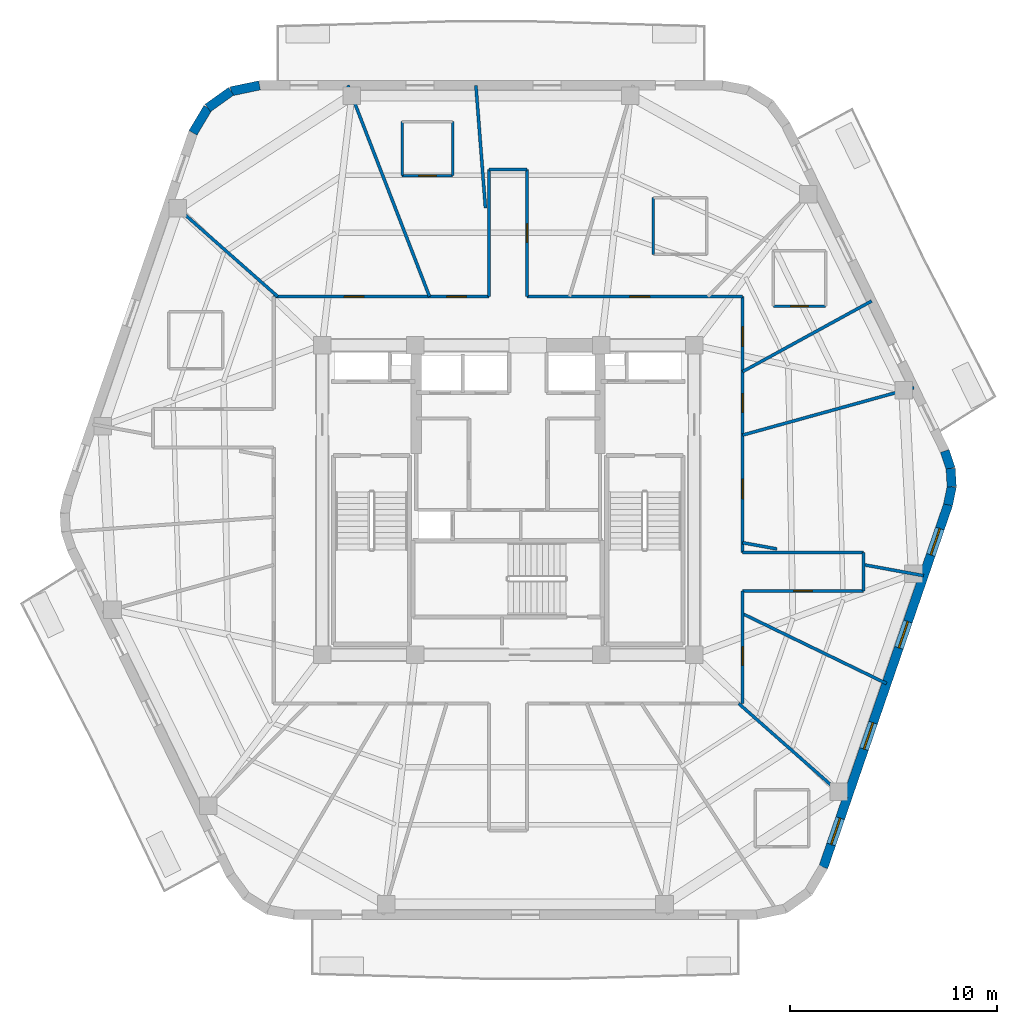
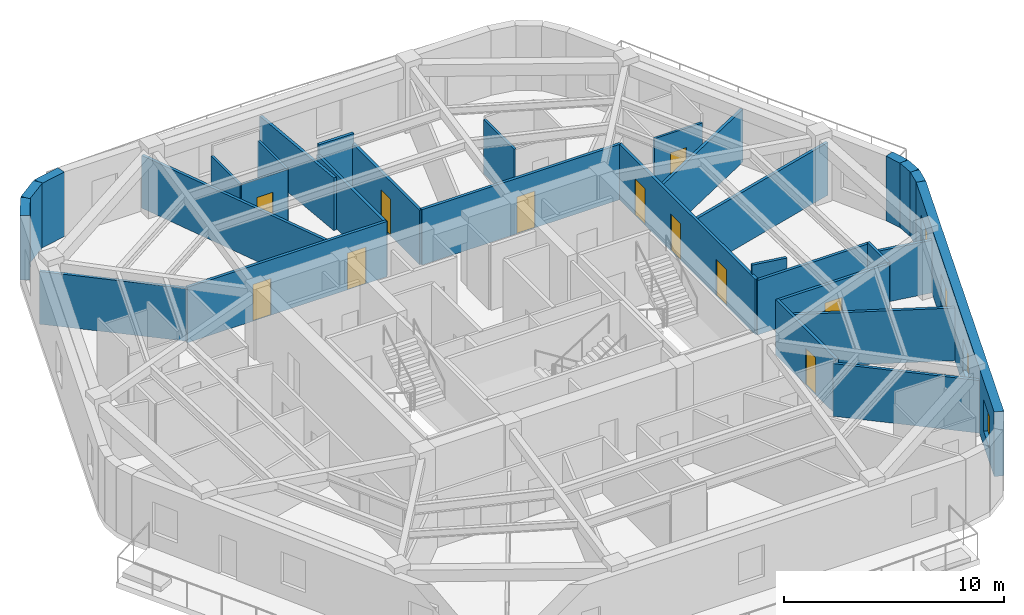
# One storey, part 5 of 9: 31 walls, 11 doors, 4 windows, 15 openings.
"""IFC4 building model written with IfcOpenShell, lengths in metres."""

from ifc_helpers import new_model, si_unit, direction, frame, frame_2d, origin, place, context, subcontext, project, spatial, rectangle, extrude, material, layer, layer_set, type_object, element, fill, save


model = new_model("IFC4")

# Units and contexts
model_context = context("Model", 3, precision=1e-05, world=origin(), true_north=direction((0.0, 1.0)))
body_context = subcontext(model_context, "Body", "Model", "MODEL_VIEW")
ifc_project = project(units=[si_unit("LENGTHUNIT", "METRE"), si_unit("AREAUNIT", "SQUARE_METRE"), si_unit("VOLUMEUNIT", "CUBIC_METRE"), si_unit("PLANEANGLEUNIT", "RADIAN"), si_unit("MASSUNIT", "GRAM", prefix="KILO")], contexts=[model_context])

# Site, building, storey
site_placement = place(None, origin())
site = spatial("IfcSite", under=ifc_project, at=site_placement, CompositionType="ELEMENT")
building_placement = place(site_placement, origin())
building = spatial("IfcBuilding", under=site, at=building_placement, Name="Kilnhurst Terrace Hotel", CompositionType="ELEMENT")
storey_placement = place(building_placement, frame((0.0, 0.0, 284.699951171875)))
storey = spatial("IfcBuildingStorey", under=building, at=storey_placement, Name="L71", CompositionType="ELEMENT", Elevation=284.699951171875)

# Walls
ifc_material_1 = material(Name="Precast concrete C40/50", Category="concrete")
ifc_layer_1 = layer(ifc_material_1, 0.449951171875, Name="Precast concrete C40/50")
ifc_layer_set_1 = layer_set([ifc_layer_1], Name="Precast concrete C40/50")
wall_type_1 = type_object("IfcWallType", Name="WL-BRK-450", PredefinedType="SOLIDWALL", material=ifc_layer_set_1)
wall_1_placement = place(storey_placement, frame((21.297607421875, -0.2333984375, 0.0), z_axis=(0.0, 0.0, 1.0), x_axis=(0.199158176661, 0.979967356941, 0.0)))
element("IfcWall", 1, at=wall_1_placement, inside=storey, type_object=wall_type_1, Name="L71 Rounded Corner Brick Wall C3.1", PredefinedType="SOLIDWALL", context=body_context, shape_type="SweptSolid", body=[
    extrude(rectangle(XDim=0.894775390625, YDim=0.449951171875, at=frame_2d((0.447265625, 0.0))), origin(), (0.0, 0.0, 1.0), 3.580078125),
])
wall_2_placement = place(storey_placement, frame((21.475830078125, 0.6435546875, 0.0), z_axis=(0.0, 0.0, 1.0), x_axis=(-0.061031097918, 0.998135865044, 0.0)))
element("IfcWall", 2, at=wall_2_placement, inside=storey, type_object=wall_type_1, Name="L71 Rounded Corner Brick Wall C3.2", PredefinedType="SOLIDWALL", context=body_context, shape_type="SweptSolid", body=[
    extrude(rectangle(XDim=0.880126953125, YDim=0.449951171875, at=frame_2d((0.43994140625, 0.0))), origin(), (0.0, 0.0, 1.0), 3.580078125),
])
wall_3_placement = place(storey_placement, frame((21.422119140625, 1.52197265625, 0.0), z_axis=(0.0, 0.0, 1.0), x_axis=(-0.316964162323, 0.94843751497, 0.0)))
element("IfcWall", 3, at=wall_3_placement, inside=storey, type_object=wall_type_1, Name="L71 Rounded Corner Brick Wall C3.3", PredefinedType="SOLIDWALL", context=body_context, shape_type="SweptSolid", body=[
    extrude(rectangle(XDim=0.89501953125, YDim=0.449951171875, at=frame_2d((0.447509765625, 0.0))), origin(), (0.0, 0.0, 1.0), 3.580078125),
])
wall_4_placement = place(storey_placement, frame((-12.038330078125, 20.074951171875, 0.0), z_axis=(0.0, 0.0, 1.0), x_axis=(-0.978750122553, -0.205056571711, 0.0)))
element("IfcWall", 4, at=wall_4_placement, inside=storey, type_object=wall_type_1, Name="L71 Rounded Corner Brick Wall C5.1", PredefinedType="SOLIDWALL", context=body_context, shape_type="SweptSolid", body=[
    extrude(rectangle(XDim=1.406005859375, YDim=0.449951171875, at=frame_2d((0.703125, 0.0))), origin(), (0.0, 0.0, 1.0), 3.580078125),
])
wall_5_placement = place(storey_placement, frame((-13.41455078125, 19.78662109375, 0.0), z_axis=(0.0, 0.0, 1.0), x_axis=(-0.814055493997, -0.580787097561, 0.0)))
element("IfcWall", 5, at=wall_5_placement, inside=storey, type_object=wall_type_1, Name="L71 Rounded Corner Brick Wall C5.2", PredefinedType="SOLIDWALL", context=body_context, shape_type="SweptSolid", body=[
    extrude(rectangle(XDim=1.382568359375, YDim=0.449951171875, at=frame_2d((0.69140625, 0.0))), origin(), (0.0, 0.0, 1.0), 3.580078125),
])
wall_6_placement = place(storey_placement, frame((-14.5400390625, 18.983642578125, 0.0), z_axis=(0.0, 0.0, 1.0), x_axis=(-0.512374906623, -0.858761873317, 0.0)))
element("IfcWall", 6, at=wall_6_placement, inside=storey, type_object=wall_type_1, Name="L71 Rounded Corner Brick Wall C5.3", PredefinedType="SOLIDWALL", context=body_context, shape_type="SweptSolid", body=[
    extrude(rectangle(XDim=1.406005859375, YDim=0.449951171875, at=frame_2d((0.703125, 0.0))), origin(), (0.0, 0.0, 1.0), 3.580078125),
])

# Wall, openings, windows
wall_7_placement = place(storey_placement, frame((15.260498046875, -17.776123046875, 0.0), z_axis=(0.0, 0.0, 1.0), x_axis=(0.325407437101, 0.945573899745, 0.0)))
wall_7 = element("IfcWall", 7, at=wall_7_placement, inside=storey, type_object=wall_type_1, Name="L71 Exterior Brick Facade Wall F2", PredefinedType="SOLIDWALL", context=body_context, shape_type="SweptSolid", body=[
    extrude(rectangle(XDim=18.552490234375, YDim=0.449951171875, at=frame_2d((9.2763671875, 0.0))), origin(), (0.0, 0.0, 1.0), 3.580078125),
])
opening_1_placement = place(wall_7_placement, frame((1.160888671875, 0.0, 0.800048828125)))
opening_1 = element("IfcOpeningElement", 8, at=opening_1_placement, cuts=wall_7, Name="Opening W-06", PredefinedType="OPENING", context=body_context, shape_type="SweptSolid", body=[
    extrude(rectangle(XDim=1.35009765625, YDim=1.75, at=frame_2d((0.675048828125, 0.875))), frame((0.0, 0.23486328125, 0.0), z_axis=(0.0, -1.0, 0.0), x_axis=(1.0, 0.0, 0.0)), (0.0, 0.0, 1.0), 0.469970703125),
])
opening_2_placement = place(wall_7_placement, frame((6.0458984375, 0.0, 0.800048828125)))
opening_2 = element("IfcOpeningElement", 9, at=opening_2_placement, cuts=wall_7, Name="Opening W-06", PredefinedType="OPENING", context=body_context, shape_type="SweptSolid", body=[
    extrude(rectangle(XDim=1.35009765625, YDim=1.75, at=frame_2d((0.675048828125, 0.875))), frame((0.0, 0.23486328125, 0.0), z_axis=(0.0, -1.0, 0.0), x_axis=(1.0, 0.0, 0.0)), (0.0, 0.0, 1.0), 0.469970703125),
])
opening_3_placement = place(wall_7_placement, frame((11.22802734375, 0.0, 0.800048828125)))
opening_3 = element("IfcOpeningElement", 10, at=opening_3_placement, cuts=wall_7, Name="Opening W-06", PredefinedType="OPENING", context=body_context, shape_type="SweptSolid", body=[
    extrude(rectangle(XDim=1.35009765625, YDim=1.75, at=frame_2d((0.675048828125, 0.875))), frame((0.0, 0.23486328125, 0.0), z_axis=(0.0, -1.0, 0.0), x_axis=(1.0, 0.0, 0.0)), (0.0, 0.0, 1.0), 0.469970703125),
])
opening_4_placement = place(wall_7_placement, frame((15.987060546875, 0.0, 0.800048828125)))
opening_4 = element("IfcOpeningElement", 11, at=opening_4_placement, cuts=wall_7, Name="Opening W-06", PredefinedType="OPENING", context=body_context, shape_type="SweptSolid", body=[
    extrude(rectangle(XDim=1.35009765625, YDim=1.75, at=frame_2d((0.675048828125, 0.875))), frame((0.0, 0.23486328125, 0.0), z_axis=(0.0, -1.0, 0.0), x_axis=(1.0, 0.0, 0.0)), (0.0, 0.0, 1.0), 0.469970703125),
])
ifc_material_2 = material(Name="Thermally Broken Bronze Aluminium Alloy 6063-T6 and Low-E Glass", Category="aluminium")
window_type = type_object("IfcWindowType", Name="WIN-1350X1750", PartitioningType="SINGLE_PANEL", PredefinedType="WINDOW", material=ifc_material_2)
window_1_placement = place(opening_1_placement, origin())
window_1 = element("IfcWindow", 12, at=window_1_placement, inside=storey, type_object=window_type, Name="L71 Deep-Set Masonry Window F2.1", OverallHeight=1.75, OverallWidth=1.35009765625, PartitioningType="SINGLE_PANEL", PredefinedType="WINDOW", context=body_context, shape_type="SweptSolid", body=[
    extrude(rectangle(XDim=1.35009765625, YDim=1.75, at=frame_2d((0.675048828125, 0.875))), frame((0.0, 0.030029296875, 0.0), z_axis=(0.0, -1.0, 0.0), x_axis=(1.0, 0.0, 0.0)), (0.0, 0.0, 1.0), 0.06005859375),
])
fill(opening_1, window_1)
window_2_placement = place(opening_2_placement, origin())
window_2 = element("IfcWindow", 13, at=window_2_placement, inside=storey, type_object=window_type, Name="L71 Deep-Set Masonry Window F2.2", OverallHeight=1.75, OverallWidth=1.35009765625, PartitioningType="SINGLE_PANEL", PredefinedType="WINDOW", context=body_context, shape_type="SweptSolid", body=[
    extrude(rectangle(XDim=1.35009765625, YDim=1.75, at=frame_2d((0.675048828125, 0.875))), frame((0.0, 0.030029296875, 0.0), z_axis=(0.0, -1.0, 0.0), x_axis=(1.0, 0.0, 0.0)), (0.0, 0.0, 1.0), 0.06005859375),
])
fill(opening_2, window_2)
window_3_placement = place(opening_3_placement, origin())
window_3 = element("IfcWindow", 14, at=window_3_placement, inside=storey, type_object=window_type, Name="L71 Deep-Set Masonry Window F2.3", OverallHeight=1.75, OverallWidth=1.35009765625, PartitioningType="SINGLE_PANEL", PredefinedType="WINDOW", context=body_context, shape_type="SweptSolid", body=[
    extrude(rectangle(XDim=1.35009765625, YDim=1.75, at=frame_2d((0.675048828125, 0.875))), frame((0.0, 0.030029296875, 0.0), z_axis=(0.0, -1.0, 0.0), x_axis=(1.0, 0.0, 0.0)), (0.0, 0.0, 1.0), 0.06005859375),
])
fill(opening_3, window_3)
window_4_placement = place(opening_4_placement, origin())
window_4 = element("IfcWindow", 15, at=window_4_placement, inside=storey, type_object=window_type, Name="L71 Deep-Set Masonry Window F2.4", OverallHeight=1.75, OverallWidth=1.35009765625, PartitioningType="SINGLE_PANEL", PredefinedType="WINDOW", context=body_context, shape_type="SweptSolid", body=[
    extrude(rectangle(XDim=1.35009765625, YDim=1.75, at=frame_2d((0.675048828125, 0.875))), frame((0.0, 0.030029296875, 0.0), z_axis=(0.0, -1.0, 0.0), x_axis=(1.0, 0.0, 0.0)), (0.0, 0.0, 1.0), 0.06005859375),
])
fill(opening_4, window_4)

# Wall, openings, doors
ifc_material_3 = material(Name="Acoustic Double-Gypsum Corridor Partition Assembly")
ifc_layer_2 = layer(ifc_material_3, 0.14990234375, Name="Acoustic Double-Gypsum Corridor Partition Assembly")
ifc_layer_set_2 = layer_set([ifc_layer_2], Name="Acoustic Double-Gypsum Corridor Partition Assembly")
wall_type_2 = type_object("IfcWallType", Name="WL-COR-150", PredefinedType="PARTITIONING", material=ifc_layer_set_2)
wall_8_placement = place(storey_placement, frame((-11.35009765625, 9.85009765625, 0.0), z_axis=(0.0, 0.0, 1.0), x_axis=(1.0, 0.0, 0.0)))
wall_8 = element("IfcWall", 16, at=wall_8_placement, inside=storey, type_object=wall_type_2, Name="L71 Interior Wall WL-L71-COR-06", PredefinedType="PARTITIONING", context=body_context, shape_type="SweptSolid", body=[
    extrude(rectangle(XDim=10.43017578125, YDim=0.14990234375, at=frame_2d((5.215087890625, 0.0))), origin(), (0.0, 0.0, 1.0), 3.070068359375),
])
opening_5_placement = place(wall_8_placement, frame((8.382080078125, 0.0, 0.0)))
opening_5 = element("IfcOpeningElement", 17, at=opening_5_placement, cuts=wall_8, Name="Opening D-60B", PredefinedType="OPENING", context=body_context, shape_type="SweptSolid", body=[
    extrude(rectangle(XDim=0.949951171875, YDim=2.030029296875, at=frame_2d((0.47509765625, 1.01513671875))), frame((0.0, 0.0849609375, 0.0), z_axis=(0.0, -1.0, 0.0), x_axis=(1.0, 0.0, 0.0)), (0.0, 0.0, 1.0), 0.169921875),
])
opening_6_placement = place(wall_8_placement, frame((3.416015625, 0.0, 0.0)))
opening_6 = element("IfcOpeningElement", 18, at=opening_6_placement, cuts=wall_8, Name="Opening D-60B", PredefinedType="OPENING", context=body_context, shape_type="SweptSolid", body=[
    extrude(rectangle(XDim=0.949951171875, YDim=2.030029296875, at=frame_2d((0.47509765625, 1.01513671875))), frame((0.0, 0.0849609375, 0.0), z_axis=(0.0, -1.0, 0.0), x_axis=(1.0, 0.0, 0.0)), (0.0, 0.0, 1.0), 0.169921875),
])
ifc_material_4 = material(Name="Acoustic Walnut Veneer Solid-Core Fire Door")
door_type_1 = type_object("IfcDoorType", Name="DR-FD60-950", OperationType="NOTDEFINED", PredefinedType="DOOR", material=ifc_material_4)
door_1_placement = place(opening_5_placement, origin())
door_1 = element("IfcDoor", 19, at=door_1_placement, inside=storey, type_object=door_type_1, Name="L71 Guest Room Entry Door 5", OperationType="SINGLE_SWING_LEFT", OverallHeight=2.030029296875, OverallWidth=0.949951171875, PredefinedType="DOOR", context=body_context, shape_type="SweptSolid", body=[
    extrude(rectangle(XDim=0.949951171875, YDim=2.030029296875, at=frame_2d((0.47509765625, 1.01513671875))), frame((0.0, 0.02490234375, 0.0), z_axis=(0.0, -1.0, 0.0), x_axis=(1.0, 0.0, 0.0)), (0.0, 0.0, 1.0), 0.050048828125),
])
fill(opening_5, door_1)
door_2_placement = place(opening_6_placement, origin())
door_2 = element("IfcDoor", 20, at=door_2_placement, inside=storey, type_object=door_type_1, Name="L71 Private Dining Salon Door", OperationType="SINGLE_SWING_RIGHT", OverallHeight=2.030029296875, OverallWidth=0.949951171875, PredefinedType="DOOR", context=body_context, shape_type="SweptSolid", body=[
    extrude(rectangle(XDim=0.949951171875, YDim=2.030029296875, at=frame_2d((0.47509765625, 1.01513671875))), frame((0.0, 0.02490234375, 0.0), z_axis=(0.0, -1.0, 0.0), x_axis=(1.0, 0.0, 0.0)), (0.0, 0.0, 1.0), 0.050048828125),
])
fill(opening_6, door_2)

# Walls
wall_9_placement = place(storey_placement, frame((-0.919921875, 9.85009765625, 0.0), z_axis=(0.0, 0.0, 1.0), x_axis=(0.0, 1.0, 0.0)))
element("IfcWall", 21, at=wall_9_placement, inside=storey, type_object=wall_type_2, Name="L71 Interior Wall WL-L71-COR-07", PredefinedType="PARTITIONING", context=body_context, shape_type="SweptSolid", body=[
    extrude(rectangle(XDim=6.14990234375, YDim=0.14990234375, at=frame_2d((3.074951171875, 0.0))), origin(), (0.0, 0.0, 1.0), 3.0205078125),
])
wall_10_placement = place(storey_placement, frame((-0.919921875, 16.0, 0.0), z_axis=(0.0, 0.0, 1.0), x_axis=(1.0, 0.0, 0.0)))
element("IfcWall", 22, at=wall_10_placement, inside=storey, type_object=wall_type_2, Name="L71 Interior Wall WL-L71-COR-08", PredefinedType="PARTITIONING", context=body_context, shape_type="SweptSolid", body=[
    extrude(rectangle(XDim=1.83984375, YDim=0.14990234375, at=frame_2d((0.919921875, 0.0))), origin(), (0.0, 0.0, 1.0), 3.580078125),
])

# Wall, opening, door
wall_11_placement = place(storey_placement, frame((0.919921875, 16.0, 0.0), z_axis=(0.0, 0.0, 1.0), x_axis=(0.0, -1.0, 0.0)))
wall_11 = element("IfcWall", 23, at=wall_11_placement, inside=storey, type_object=wall_type_2, Name="L71 Interior Wall WL-L71-COR-09", PredefinedType="PARTITIONING", context=body_context, shape_type="SweptSolid", body=[
    extrude(rectangle(XDim=6.14990234375, YDim=0.14990234375, at=frame_2d((3.074951171875, 0.0))), origin(), (0.0, 0.0, 1.0), 3.0205078125),
])
opening_7_placement = place(wall_11_placement, frame((2.625, 0.0, 0.0)))
opening_7 = element("IfcOpeningElement", 24, at=opening_7_placement, cuts=wall_11, Name="Opening D-60C", PredefinedType="OPENING", context=body_context, shape_type="SweptSolid", body=[
    extrude(rectangle(XDim=0.89990234375, YDim=2.030029296875, at=frame_2d((0.449951171875, 1.01513671875))), frame((0.0, 0.0849609375, 0.0), z_axis=(0.0, -1.0, 0.0), x_axis=(1.0, 0.0, 0.0)), (0.0, 0.0, 1.0), 0.169921875),
])
ifc_material_5 = material(Name="Painted Solid-Core Service Fire Door")
door_type_2 = type_object("IfcDoorType", Name="DR-FD60-900", OperationType="NOTDEFINED", PredefinedType="DOOR", material=ifc_material_5)
door_3_placement = place(opening_7_placement, origin())
door_3 = element("IfcDoor", 25, at=door_3_placement, inside=storey, type_object=door_type_2, Name="L71 Executive Work Office Door 4", OperationType="SINGLE_SWING_RIGHT", OverallHeight=2.030029296875, OverallWidth=0.89990234375, PredefinedType="DOOR", context=body_context, shape_type="SweptSolid", body=[
    extrude(rectangle(XDim=0.89990234375, YDim=2.030029296875, at=frame_2d((0.449951171875, 1.01513671875))), frame((0.0, 0.02490234375, 0.0), z_axis=(0.0, -1.0, 0.0), x_axis=(1.0, 0.0, 0.0)), (0.0, 0.0, 1.0), 0.050048828125),
])
fill(opening_7, door_3)

wall_12_placement = place(storey_placement, frame((0.919921875, 9.85009765625, 0.0), z_axis=(0.0, 0.0, 1.0), x_axis=(1.0, 0.0, 0.0)))
wall_12 = element("IfcWall", 26, at=wall_12_placement, inside=storey, type_object=wall_type_2, Name="L71 Interior Wall WL-L71-COR-10", PredefinedType="PARTITIONING", context=body_context, shape_type="SweptSolid", body=[
    extrude(rectangle(XDim=10.43017578125, YDim=0.14990234375, at=frame_2d((5.215087890625, 0.0))), origin(), (0.0, 0.0, 1.0), 3.070068359375),
])
opening_8_placement = place(wall_12_placement, frame((4.97509765625, 0.0, 0.0)))
opening_8 = element("IfcOpeningElement", 27, at=opening_8_placement, cuts=wall_12, Name="Opening D-60B", PredefinedType="OPENING", context=body_context, shape_type="SweptSolid", body=[
    extrude(rectangle(XDim=0.949951171875, YDim=2.030029296875, at=frame_2d((0.47509765625, 1.01513671875))), frame((0.0, 0.0849609375, 0.0), z_axis=(0.0, -1.0, 0.0), x_axis=(1.0, 0.0, 0.0)), (0.0, 0.0, 1.0), 0.169921875),
])
door_4_placement = place(opening_8_placement, origin())
door_4 = element("IfcDoor", 28, at=door_4_placement, inside=storey, type_object=door_type_1, Name="L71 Executive Suite Entry Door 3", OperationType="SINGLE_SWING_LEFT", OverallHeight=2.030029296875, OverallWidth=0.949951171875, PredefinedType="DOOR", context=body_context, shape_type="SweptSolid", body=[
    extrude(rectangle(XDim=0.949951171875, YDim=2.030029296875, at=frame_2d((0.47509765625, 1.01513671875))), frame((0.0, 0.02490234375, 0.0), z_axis=(0.0, -1.0, 0.0), x_axis=(1.0, 0.0, 0.0)), (0.0, 0.0, 1.0), 0.050048828125),
])
fill(opening_8, door_4)

# Wall, openings, doors
wall_13_placement = place(storey_placement, frame((11.35009765625, 9.85009765625, 0.0), z_axis=(0.0, 0.0, 1.0), x_axis=(0.0, -1.0, 0.0)))
wall_13 = element("IfcWall", 29, at=wall_13_placement, inside=storey, type_object=wall_type_2, Name="L71 Interior Wall WL-L71-COR-11", PredefinedType="PARTITIONING", context=body_context, shape_type="SweptSolid", body=[
    extrude(rectangle(XDim=12.400146484375, YDim=0.14990234375, at=frame_2d((6.2001953125, 0.0))), origin(), (0.0, 0.0, 1.0), 3.070068359375),
])
opening_9_placement = place(wall_13_placement, frame((4.705078125, 0.0, 0.0)))
opening_9 = element("IfcOpeningElement", 30, at=opening_9_placement, cuts=wall_13, Name="Opening D-60C", PredefinedType="OPENING", context=body_context, shape_type="SweptSolid", body=[
    extrude(rectangle(XDim=0.89990234375, YDim=2.030029296875, at=frame_2d((0.449951171875, 1.01513671875))), frame((0.0, 0.0849609375, 0.0), z_axis=(0.0, -1.0, 0.0), x_axis=(1.0, 0.0, 0.0)), (0.0, 0.0, 1.0), 0.169921875),
])
opening_10_placement = place(wall_13_placement, frame((1.462890625, 0.0, 0.0)))
opening_10 = element("IfcOpeningElement", 31, at=opening_10_placement, cuts=wall_13, Name="Opening D-60B", PredefinedType="OPENING", context=body_context, shape_type="SweptSolid", body=[
    extrude(rectangle(XDim=0.949951171875, YDim=2.030029296875, at=frame_2d((0.47509765625, 1.01513671875))), frame((0.0, 0.0849609375, 0.0), z_axis=(0.0, -1.0, 0.0), x_axis=(1.0, 0.0, 0.0)), (0.0, 0.0, 1.0), 0.169921875),
])
opening_11_placement = place(wall_13_placement, frame((8.8349609375, 0.0, 0.0)))
opening_11 = element("IfcOpeningElement", 32, at=opening_11_placement, cuts=wall_13, Name="Opening D-60B", PredefinedType="OPENING", context=body_context, shape_type="SweptSolid", body=[
    extrude(rectangle(XDim=0.949951171875, YDim=2.030029296875, at=frame_2d((0.47509765625, 1.01513671875))), frame((0.0, 0.0849609375, 0.0), z_axis=(0.0, -1.0, 0.0), x_axis=(1.0, 0.0, 0.0)), (0.0, 0.0, 1.0), 0.169921875),
])
door_5_placement = place(opening_9_placement, origin())
door_5 = element("IfcDoor", 33, at=door_5_placement, inside=storey, type_object=door_type_2, Name="L71 Private Study Salon Door 1", OperationType="SINGLE_SWING_LEFT", OverallHeight=2.030029296875, OverallWidth=0.89990234375, PredefinedType="DOOR", context=body_context, shape_type="SweptSolid", body=[
    extrude(rectangle(XDim=0.89990234375, YDim=2.030029296875, at=frame_2d((0.449951171875, 1.01513671875))), frame((0.0, 0.02490234375, 0.0), z_axis=(0.0, -1.0, 0.0), x_axis=(1.0, 0.0, 0.0)), (0.0, 0.0, 1.0), 0.050048828125),
])
fill(opening_9, door_5)
door_6_placement = place(opening_10_placement, origin())
door_6 = element("IfcDoor", 34, at=door_6_placement, inside=storey, type_object=door_type_1, Name="L71 Guest Room Entry Door 2", OperationType="SINGLE_SWING_RIGHT", OverallHeight=2.030029296875, OverallWidth=0.949951171875, PredefinedType="DOOR", context=body_context, shape_type="SweptSolid", body=[
    extrude(rectangle(XDim=0.949951171875, YDim=2.030029296875, at=frame_2d((0.47509765625, 1.01513671875))), frame((0.0, 0.02490234375, 0.0), z_axis=(0.0, -1.0, 0.0), x_axis=(1.0, 0.0, 0.0)), (0.0, 0.0, 1.0), 0.050048828125),
])
fill(opening_10, door_6)
door_7_placement = place(opening_11_placement, origin())
door_7 = element("IfcDoor", 35, at=door_7_placement, inside=storey, type_object=door_type_1, Name="L71 Executive Boardroom Door", OperationType="SINGLE_SWING_RIGHT", OverallHeight=2.030029296875, OverallWidth=0.949951171875, PredefinedType="DOOR", context=body_context, shape_type="SweptSolid", body=[
    extrude(rectangle(XDim=0.949951171875, YDim=2.030029296875, at=frame_2d((0.47509765625, 1.01513671875))), frame((0.0, 0.02490234375, 0.0), z_axis=(0.0, -1.0, 0.0), x_axis=(1.0, 0.0, 0.0)), (0.0, 0.0, 1.0), 0.050048828125),
])
fill(opening_11, door_7)

# Walls
wall_14_placement = place(storey_placement, frame((11.35009765625, -2.550048828125, 0.0), z_axis=(0.0, 0.0, 1.0), x_axis=(1.0, 0.0, 0.0)))
element("IfcWall", 36, at=wall_14_placement, inside=storey, type_object=wall_type_2, Name="L71 Interior Wall WL-L71-COR-12", PredefinedType="PARTITIONING", context=body_context, shape_type="SweptSolid", body=[
    extrude(rectangle(XDim=5.849853515625, YDim=0.14990234375, at=frame_2d((2.9248046875, 0.0))), origin(), (0.0, 0.0, 1.0), 3.0205078125),
])
wall_15_placement = place(storey_placement, frame((17.199951171875, -2.550048828125, 0.0), z_axis=(0.0, 0.0, 1.0), x_axis=(0.0, -1.0, 0.0)))
element("IfcWall", 37, at=wall_15_placement, inside=storey, type_object=wall_type_2, Name="L71 Interior Wall WL-L71-COR-13", PredefinedType="PARTITIONING", context=body_context, shape_type="SweptSolid", body=[
    extrude(rectangle(XDim=1.849853515625, YDim=0.14990234375, at=frame_2d((0.9248046875, 0.0))), origin(), (0.0, 0.0, 1.0), 3.070068359375),
])

# Wall, opening, door
wall_16_placement = place(storey_placement, frame((17.199951171875, -4.39990234375, 0.0), z_axis=(0.0, 0.0, 1.0), x_axis=(-1.0, 0.0, 0.0)))
wall_16 = element("IfcWall", 38, at=wall_16_placement, inside=storey, type_object=wall_type_2, Name="L71 Interior Wall WL-L71-COR-14", PredefinedType="PARTITIONING", context=body_context, shape_type="SweptSolid", body=[
    extrude(rectangle(XDim=5.849853515625, YDim=0.14990234375, at=frame_2d((2.9248046875, 0.0))), origin(), (0.0, 0.0, 1.0), 3.0205078125),
])
opening_12_placement = place(wall_16_placement, frame((2.47509765625, 0.0, 0.0)))
opening_12 = element("IfcOpeningElement", 39, at=opening_12_placement, cuts=wall_16, Name="Opening D-60C", PredefinedType="OPENING", context=body_context, shape_type="SweptSolid", body=[
    extrude(rectangle(XDim=0.89990234375, YDim=2.030029296875, at=frame_2d((0.449951171875, 1.01513671875))), frame((0.0, 0.0849609375, 0.0), z_axis=(0.0, -1.0, 0.0), x_axis=(1.0, 0.0, 0.0)), (0.0, 0.0, 1.0), 0.169921875),
])
door_8_placement = place(opening_12_placement, origin())
door_8 = element("IfcDoor", 40, at=door_8_placement, inside=storey, type_object=door_type_2, Name="L71 Botanical Reading Lounge Door 17", OperationType="SINGLE_SWING_LEFT", OverallHeight=2.030029296875, OverallWidth=0.89990234375, PredefinedType="DOOR", context=body_context, shape_type="SweptSolid", body=[
    extrude(rectangle(XDim=0.89990234375, YDim=2.030029296875, at=frame_2d((0.449951171875, 1.01513671875))), frame((0.0, 0.02490234375, 0.0), z_axis=(0.0, -1.0, 0.0), x_axis=(1.0, 0.0, 0.0)), (0.0, 0.0, 1.0), 0.050048828125),
])
fill(opening_12, door_8)

wall_17_placement = place(storey_placement, frame((11.35009765625, -4.39990234375, 0.0), z_axis=(0.0, 0.0, 1.0), x_axis=(0.0, -1.0, 0.0)))
wall_17 = element("IfcWall", 41, at=wall_17_placement, inside=storey, type_object=wall_type_2, Name="L71 Interior Wall WL-L71-COR-15", PredefinedType="PARTITIONING", context=body_context, shape_type="SweptSolid", body=[
    extrude(rectangle(XDim=5.4501953125, YDim=0.14990234375, at=frame_2d((2.72509765625, 0.0))), origin(), (0.0, 0.0, 1.0), 3.070068359375),
])
opening_13_placement = place(wall_17_placement, frame((2.7080078125, 0.0, 0.0)))
opening_13 = element("IfcOpeningElement", 42, at=opening_13_placement, cuts=wall_17, Name="Opening D-60C", PredefinedType="OPENING", context=body_context, shape_type="SweptSolid", body=[
    extrude(rectangle(XDim=0.89990234375, YDim=2.030029296875, at=frame_2d((0.449951171875, 1.01513671875))), frame((0.0, 0.0849609375, 0.0), z_axis=(0.0, -1.0, 0.0), x_axis=(1.0, 0.0, 0.0)), (0.0, 0.0, 1.0), 0.169921875),
])
door_9_placement = place(opening_13_placement, origin())
door_9 = element("IfcDoor", 43, at=door_9_placement, inside=storey, type_object=door_type_2, Name="L71 Executive Work Office Door 16", OperationType="SINGLE_SWING_RIGHT", OverallHeight=2.030029296875, OverallWidth=0.89990234375, PredefinedType="DOOR", context=body_context, shape_type="SweptSolid", body=[
    extrude(rectangle(XDim=0.89990234375, YDim=2.030029296875, at=frame_2d((0.449951171875, 1.01513671875))), frame((0.0, 0.02490234375, 0.0), z_axis=(0.0, -1.0, 0.0), x_axis=(1.0, 0.0, 0.0)), (0.0, 0.0, 1.0), 0.050048828125),
])
fill(opening_13, door_9)

# Walls
ifc_material_6 = material(Name="STC-58 Acoustic Twin-Frame Guestroom Demising Partition")
ifc_layer_3 = layer(ifc_material_6, 0.14990234375, Name="STC-58 Acoustic Twin-Frame Guestroom Demising Partition")
ifc_layer_set_3 = layer_set([ifc_layer_3], Name="STC-58 Acoustic Twin-Frame Guestroom Demising Partition")
wall_type_3 = type_object("IfcWallType", Name="WL-DEM-150", PredefinedType="PARTITIONING", material=ifc_layer_set_3)
wall_18_placement = place(storey_placement, frame((11.35009765625, 3.142822265625, 0.0), z_axis=(0.0, 0.0, 1.0), x_axis=(0.963731818141, 0.266872596386, 0.0)))
element("IfcWall", 44, at=wall_18_placement, inside=storey, type_object=wall_type_3, Name="L71 Interior Wall WL-L71-DEM-COL01-01-1", PredefinedType="PARTITIONING", context=body_context, shape_type="SweptSolid", body=[
    extrude(rectangle(XDim=8.604736328125, YDim=0.14990234375, at=frame_2d((4.30224609375, 0.0))), origin(), (0.0, 0.0, 1.0), 2.920166015625),
])
wall_19_placement = place(storey_placement, frame((11.35009765625, 6.213134765625, 0.0), z_axis=(0.0, 0.0, 1.0), x_axis=(0.877157109774, 0.480203503499, 0.0)))
element("IfcWall", 45, at=wall_19_placement, inside=storey, type_object=wall_type_3, Name="L71 Interior Wall WL-L71-DEM-MID01-02-1", PredefinedType="PARTITIONING", context=body_context, shape_type="SweptSolid", body=[
    extrude(rectangle(XDim=7.123291015625, YDim=0.14990234375, at=frame_2d((3.5615234375, 0.0))), origin(), (0.0, 0.0, 1.0), 2.920166015625),
])
wall_20_placement = place(storey_placement, frame((-1.10009765625, 14.1416015625, 0.0), z_axis=(0.0, 0.0, 1.0), x_axis=(-0.077534071454, 0.996989702938, 0.0)))
element("IfcWall", 46, at=wall_20_placement, inside=storey, type_object=wall_type_3, Name="L71 Interior Wall WL-L71-DEM-MID03-05-1", PredefinedType="PARTITIONING", context=body_context, shape_type="SweptSolid", body=[
    extrude(rectangle(XDim=5.951171875, YDim=0.14990234375, at=frame_2d((2.9755859375, 0.0))), origin(), (0.0, 0.0, 1.0), 2.920166015625),
])
wall_21_placement = place(storey_placement, frame((-3.8076171875, 9.85009765625, 0.0), z_axis=(0.0, 0.0, 1.0), x_axis=(-0.360587327934, 0.932725457427, 0.0)))
element("IfcWall", 47, at=wall_21_placement, inside=storey, type_object=wall_type_3, Name="L71 Interior Wall WL-L71-DEM-COL04-06-1", PredefinedType="PARTITIONING", context=body_context, shape_type="SweptSolid", body=[
    extrude(rectangle(XDim=10.96240234375, YDim=0.14990234375, at=frame_2d((5.481201171875, 0.0))), origin(), (0.0, 0.0, 1.0), 2.920166015625),
])
for number, where, z_axis, x_axis, name in (
    (48, (-11.1572265625, 9.85009765625, 0.0), (0.0, 0.0, 1.0), (-0.74966962095, 0.661812253909, 0.0), "L71 Interior Wall WL-L71-DEM-COL05-07-1"),
    (49, (11.1572265625, -9.85009765625, 0.0), (0.0, 0.0, 1.0), (0.74966962095, -0.661812253909, 0.0), "L71 Interior Wall WL-L71-DEM-COL11-16-1"),
):
    element("IfcWall", number, at=place(storey_placement, frame(where, z_axis=z_axis, x_axis=x_axis)), inside=storey, type_object=wall_type_3, Name=name, PredefinedType="PARTITIONING", context=body_context, shape_type="SweptSolid", body=[
        extrude(rectangle(XDim=6.98876953125, YDim=0.14990234375, at=frame_2d((3.494384765625, 0.0))), origin(), (0.0, 0.0, 1.0), 2.920166015625),
    ])
wall_22_placement = place(storey_placement, frame((11.35009765625, -5.506591796875, 0.0), z_axis=(0.0, 0.0, 1.0), x_axis=(0.899708724615, -0.436490791256, 0.0)))
element("IfcWall", 50, at=wall_22_placement, inside=storey, type_object=wall_type_3, Name="L71 Interior Wall WL-L71-DEM-MID11-17-1", PredefinedType="PARTITIONING", context=body_context, shape_type="SweptSolid", body=[
    extrude(rectangle(XDim=7.74609375, YDim=0.14990234375, at=frame_2d((3.873046875, 0.0))), origin(), (0.0, 0.0, 1.0), 2.920166015625),
])
wall_23_placement = place(storey_placement, frame((11.35009765625, -2.067138671875, 0.0), z_axis=(0.0, 0.0, 1.0), x_axis=(0.983807459651, -0.179228575665, 0.0)))
element("IfcWall", 51, at=wall_23_placement, inside=storey, type_object=wall_type_3, Name="L71 Interior Wall WL-L71-DEM-COL12-18-1", PredefinedType="PARTITIONING", context=body_context, shape_type="SweptSolid", body=[
    extrude(rectangle(XDim=1.6904296875, YDim=0.14990234375, at=frame_2d((0.84521484375, 0.0))), origin(), (0.0, 0.0, 1.0), 3.580078125),
])
wall_24_placement = place(storey_placement, frame((17.199951171875, -3.132568359375, 0.0), z_axis=(0.0, 0.0, 1.0), x_axis=(0.983817168797, -0.179175272791, 0.0)))
element("IfcWall", 52, at=wall_24_placement, inside=storey, type_object=wall_type_3, Name="L71 Interior Wall WL-L71-DEM-COL12-18-2", PredefinedType="PARTITIONING", context=body_context, shape_type="SweptSolid", body=[
    extrude(rectangle(XDim=2.965087890625, YDim=0.14990234375, at=frame_2d((1.482421875, 0.0))), origin(), (0.0, 0.0, 1.0), 2.920166015625),
])

# Wall, opening, door
ifc_material_7 = material(Name="120 mm Moisture-Resistant Tile-Backed Bathroom Partition")
ifc_layer_4 = layer(ifc_material_7, 0.1201171875, Name="120 mm Moisture-Resistant Tile-Backed Bathroom Partition")
ifc_layer_set_4 = layer_set([ifc_layer_4], Name="120 mm Moisture-Resistant Tile-Backed Bathroom Partition")
wall_type_4 = type_object("IfcWallType", Name="WL-PART-120", PredefinedType="PARTITIONING", material=ifc_layer_set_4)
wall_25_placement = place(storey_placement, frame((12.845947265625, 9.382080078125, 0.0), z_axis=(0.0, 0.0, 1.0), x_axis=(1.0, 0.0, 0.0)))
wall_25 = element("IfcWall", 53, at=wall_25_placement, inside=storey, type_object=wall_type_4, Name="L71 Interior Wall WL-L71-BTH-02-1", PredefinedType="PARTITIONING", context=body_context, shape_type="SweptSolid", body=[
    extrude(rectangle(XDim=2.52001953125, YDim=0.1201171875, at=frame_2d((1.260009765625, 0.0))), origin(), (0.0, 0.0, 1.0), 3.1064453125),
])
opening_14_placement = place(wall_25_placement, frame((0.8349609375, 0.0, 0.0)))
opening_14 = element("IfcOpeningElement", 54, at=opening_14_placement, cuts=wall_25, Name="Opening D-08A", PredefinedType="OPENING", context=body_context, shape_type="SweptSolid", body=[
    extrude(rectangle(XDim=0.85009765625, YDim=2.030029296875, at=frame_2d((0.425048828125, 1.01513671875))), frame((0.0, 0.070068359375, 0.0), z_axis=(0.0, -1.0, 0.0), x_axis=(1.0, 0.0, 0.0)), (0.0, 0.0, 1.0), 0.14013671875),
])
ifc_material_8 = material(Name="Moisture-Resistant Lacquered En-suite Bathroom Door")
door_type_3 = type_object("IfcDoorType", Name="DR-INT-850", OperationType="NOTDEFINED", PredefinedType="DOOR", material=ifc_material_8)
door_10_placement = place(opening_14_placement, origin())
door_10 = element("IfcDoor", 55, at=door_10_placement, inside=storey, type_object=door_type_3, Name="L71 En-suite Bathroom Door 2", OperationType="SINGLE_SWING_LEFT", OverallHeight=2.030029296875, OverallWidth=0.85009765625, PredefinedType="DOOR", context=body_context, shape_type="SweptSolid", body=[
    extrude(rectangle(XDim=0.85009765625, YDim=2.030029296875, at=frame_2d((0.425048828125, 1.01513671875))), frame((0.0, 0.02490234375, 0.0), z_axis=(0.0, -1.0, 0.0), x_axis=(1.0, 0.0, 0.0)), (0.0, 0.0, 1.0), 0.050048828125),
])
fill(opening_14, door_10)

# Wall
wall_26_placement = place(storey_placement, frame((7.02587890625, 14.639892578125, 0.0), z_axis=(0.0, 0.0, 1.0), x_axis=(0.0, -1.0, 0.0)))
element("IfcWall", 56, at=wall_26_placement, inside=storey, type_object=wall_type_4, Name="L71 Interior Wall WL-L71-BTH-03-4", PredefinedType="PARTITIONING", context=body_context, shape_type="SweptSolid", body=[
    extrude(rectangle(XDim=2.75, YDim=0.1201171875, at=frame_2d((1.375, 0.0))), origin(), (0.0, 0.0, 1.0), 3.0205078125),
])

# Wall, opening, door
wall_27_placement = place(storey_placement, frame((-5.134033203125, 15.7080078125, 0.0), z_axis=(0.0, 0.0, 1.0), x_axis=(1.0, 0.0, 0.0)))
wall_27 = element("IfcWall", 57, at=wall_27_placement, inside=storey, type_object=wall_type_4, Name="L71 Interior Wall WL-L71-BTH-05-1", PredefinedType="PARTITIONING", context=body_context, shape_type="SweptSolid", body=[
    extrude(rectangle(XDim=2.43994140625, YDim=0.1201171875, at=frame_2d((1.219970703125, 0.0))), origin(), (0.0, 0.0, 1.0), 3.0205078125),
])
opening_15_placement = place(wall_27_placement, frame((0.794921875, 0.0, 0.0)))
opening_15 = element("IfcOpeningElement", 58, at=opening_15_placement, cuts=wall_27, Name="Opening D-08A", PredefinedType="OPENING", context=body_context, shape_type="SweptSolid", body=[
    extrude(rectangle(XDim=0.85009765625, YDim=2.030029296875, at=frame_2d((0.425048828125, 1.01513671875))), frame((0.0, 0.070068359375, 0.0), z_axis=(0.0, -1.0, 0.0), x_axis=(1.0, 0.0, 0.0)), (0.0, 0.0, 1.0), 0.14013671875),
])
door_11_placement = place(opening_15_placement, origin())
door_11 = element("IfcDoor", 59, at=door_11_placement, inside=storey, type_object=door_type_3, Name="L71 En-suite Bathroom Door 5", OperationType="SINGLE_SWING_RIGHT", OverallHeight=2.030029296875, OverallWidth=0.85009765625, PredefinedType="DOOR", context=body_context, shape_type="SweptSolid", body=[
    extrude(rectangle(XDim=0.85009765625, YDim=2.030029296875, at=frame_2d((0.425048828125, 1.01513671875))), frame((0.0, 0.02490234375, 0.0), z_axis=(0.0, -1.0, 0.0), x_axis=(1.0, 0.0, 0.0)), (0.0, 0.0, 1.0), 0.050048828125),
])
fill(opening_15, door_11)

# Walls
for number, where, z_axis, x_axis, name in (
    (60, (-2.694091796875, 15.7080078125, 0.0), (0.0, 0.0, 1.0), (0.0, 1.0, 0.0), "L71 Interior Wall WL-L71-BTH-05-2"),
    (61, (-5.134033203125, 18.318115234375, 0.0), (0.0, 0.0, 1.0), (0.0, -1.0, 0.0), "L71 Interior Wall WL-L71-BTH-05-4"),
):
    element("IfcWall", number, at=place(storey_placement, frame(where, z_axis=z_axis, x_axis=x_axis)), inside=storey, type_object=wall_type_4, Name=name, PredefinedType="PARTITIONING", context=body_context, shape_type="SweptSolid", body=[
        extrude(rectangle(XDim=2.610107421875, YDim=0.1201171875, at=frame_2d((1.30517578125, 0.0))), origin(), (0.0, 0.0, 1.0), 3.0205078125),
    ])

save(model, "model.ifc")
